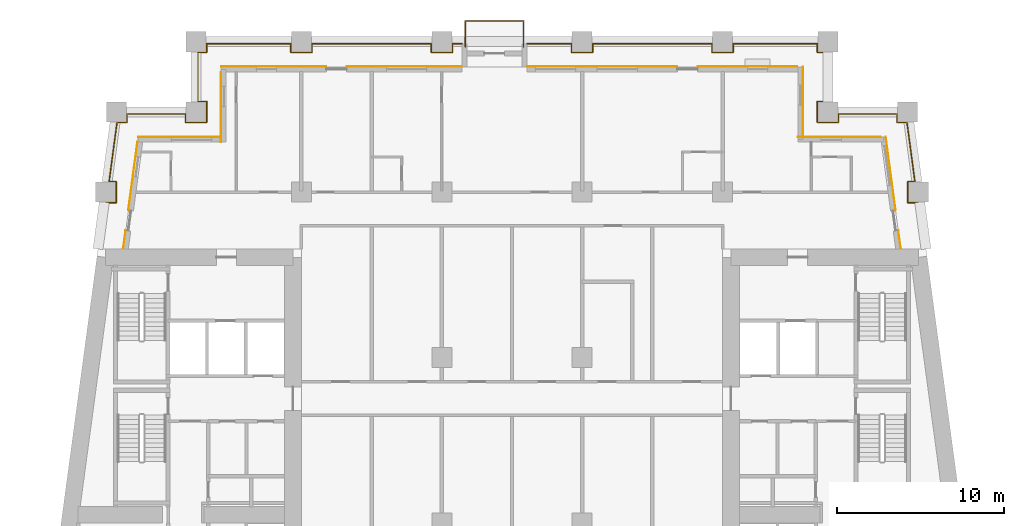
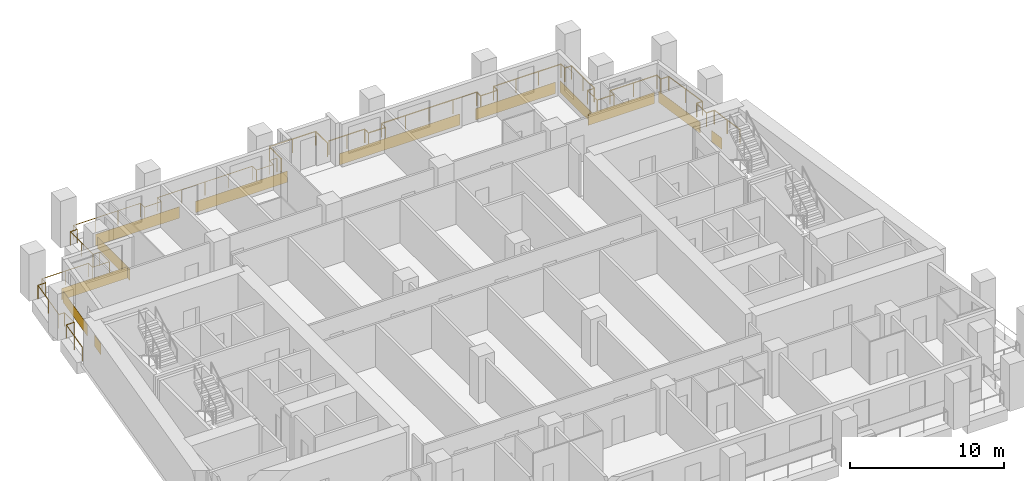
# One storey, part 12 of 13: 12 coverings, 3 railings.
"""IFC4 building model written with IfcOpenShell, lengths in metres."""

from ifc_helpers import new_model, si_unit, direction, frame, origin, origin_2d, place, context, subcontext, project, spatial, rectangle, circle, extrude, material, layer, layer_set, type_object, element, save


model = new_model("IFC4")

# Units and contexts
model_context = context("Model", 3, precision=1e-05, world=origin(), true_north=direction((0.0, 1.0)))
body_context = subcontext(model_context, "Body", "Model", "MODEL_VIEW")
ifc_project = project(units=[si_unit("LENGTHUNIT", "METRE"), si_unit("AREAUNIT", "SQUARE_METRE"), si_unit("VOLUMEUNIT", "CUBIC_METRE"), si_unit("PLANEANGLEUNIT", "RADIAN"), si_unit("MASSUNIT", "GRAM", prefix="KILO")], contexts=[model_context])

# Site, building, storey
site_placement = place(None, origin())
site = spatial("IfcSite", under=ifc_project, at=site_placement, CompositionType="ELEMENT")
building_placement = place(site_placement, origin())
building = spatial("IfcBuilding", under=site, at=building_placement, Name="Candeia Pilgrim Tower and Theatre", CompositionType="ELEMENT")
storey_placement = place(building_placement, frame((0.0, 0.0, 98.39990234375)))
storey = spatial("IfcBuildingStorey", under=building, at=storey_placement, Name="L22", CompositionType="ELEMENT", Elevation=98.39990234375)

# Railings
ifc_material_1 = material(Name="Stainless steel balustrade", Category="steel")
railing_type = type_object("IfcRailingType", Name="G1 loggia guard 1100", PredefinedType="GUARDRAIL", material=ifc_material_1)
railing_1_placement = place(storey_placement, frame((88.758544921875, 132.449951171875, 0.0)))
element("IfcRailing", 1, at=railing_1_placement, inside=storey, type_object=railing_type, Name="Guard L22.2", PredefinedType="GUARDRAIL", context=body_context, shape_type="SweptSolid", body=[
    extrude(circle(Radius=0.02392578125, at=origin_2d()), frame((0.0, 0.0, 1.076171875), z_axis=(0.133433855259, 0.991057720958, 0.0), x_axis=(-0.991057720958, 0.133433855259, 0.0)), (0.0, 0.0, 1.0), 2.74462890625),
    extrude(circle(Radius=0.02392578125, at=origin_2d()), frame((0.3662109375, 2.719970703125, 1.076171875), z_axis=(1.0, 0.0, 0.0), x_axis=(0.0, 1.0, 0.0)), (0.0, 0.0, 1.0), 0.59375),
    extrude(circle(Radius=0.02392578125, at=origin_2d()), frame((0.9599609375, 2.719970703125, 1.076171875), z_axis=(0.0, 1.0, 0.0), x_axis=(-1.0, 0.0, 0.0)), (0.0, 0.0, 1.0), 1.260009765625),
    extrude(circle(Radius=0.02392578125, at=origin_2d()), frame((0.9599609375, 3.97998046875, 1.076171875), z_axis=(-1.0, 0.0, 0.0), x_axis=(0.0, -1.0, 0.0)), (0.0, 0.0, 1.0), 0.424072265625),
    extrude(circle(Radius=0.02392578125, at=origin_2d()), frame((0.535888671875, 3.97998046875, 1.076171875), z_axis=(0.133417176173, 0.991059966451, 0.0), x_axis=(-0.991059966451, 0.133417176173, 0.0)), (0.0, 0.0, 1.0), 3.572021484375),
    extrude(circle(Radius=0.02392578125, at=origin_2d()), frame((1.012451171875, 7.52001953125, 1.076171875), z_axis=(1.0, 0.0, 0.0), x_axis=(0.0, 1.0, 0.0)), (0.0, 0.0, 1.0), 0.593505859375),
    extrude(circle(Radius=0.02392578125, at=origin_2d()), frame((1.60595703125, 7.52001953125, 1.076171875), z_axis=(0.0, 1.0, 0.0), x_axis=(-1.0, 0.0, 0.0)), (0.0, 0.0, 1.0), 0.510009765625),
    extrude(circle(Radius=0.02392578125, at=origin_2d()), frame((1.60595703125, 8.030029296875, 1.076171875), z_axis=(1.0, 0.0, 0.0), x_axis=(0.0, 1.0, 0.0)), (0.0, 0.0, 1.0), 3.505615234375),
    extrude(circle(Radius=0.02392578125, at=origin_2d()), frame((5.111572265625, 8.030029296875, 1.076171875), z_axis=(0.0, -1.0, 0.0), x_axis=(1.0, 0.0, 0.0)), (0.0, 0.0, 1.0), 0.510009765625),
    extrude(circle(Radius=0.02392578125, at=origin_2d()), frame((5.111572265625, 7.52001953125, 1.076171875), z_axis=(1.0, 0.0, 0.0), x_axis=(0.0, 1.0, 0.0)), (0.0, 0.0, 1.0), 1.259765625),
    extrude(circle(Radius=0.02392578125, at=origin_2d()), frame((6.371337890625, 7.52001953125, 1.076171875), z_axis=(0.0, 1.0, 0.0), x_axis=(-1.0, 0.0, 0.0)), (0.0, 0.0, 1.0), 1.260009765625),
    extrude(circle(Radius=0.02392578125, at=origin_2d()), frame((6.371337890625, 8.780029296875, 1.076171875), z_axis=(-1.0, 0.0, 0.0), x_axis=(0.0, -1.0, 0.0)), (0.0, 0.0, 1.0), 0.509765625),
    extrude(circle(Radius=0.02392578125, at=origin_2d()), frame((5.861572265625, 8.780029296875, 1.076171875), z_axis=(0.0, 1.0, 0.0), x_axis=(-1.0, 0.0, 0.0)), (0.0, 0.0, 1.0), 2.93994140625),
    extrude(circle(Radius=0.02392578125, at=origin_2d()), frame((5.861572265625, 11.719970703125, 1.076171875), z_axis=(1.0, 0.0, 0.0), x_axis=(0.0, 1.0, 0.0)), (0.0, 0.0, 1.0), 0.509765625),
    extrude(circle(Radius=0.02392578125, at=origin_2d()), frame((6.371337890625, 11.719970703125, 1.076171875), z_axis=(0.0, 1.0, 0.0), x_axis=(-1.0, 0.0, 0.0)), (0.0, 0.0, 1.0), 0.510009765625),
    extrude(circle(Radius=0.02392578125, at=origin_2d()), frame((6.371337890625, 12.22998046875, 1.076171875), z_axis=(1.0, 0.0, 0.0), x_axis=(0.0, 1.0, 0.0)), (0.0, 0.0, 1.0), 5.0400390625),
    extrude(circle(Radius=0.02392578125, at=origin_2d()), frame((11.411376953125, 12.22998046875, 1.076171875), z_axis=(0.0, -1.0, 0.0), x_axis=(1.0, 0.0, 0.0)), (0.0, 0.0, 1.0), 0.510009765625),
    extrude(circle(Radius=0.02392578125, at=origin_2d()), frame((11.411376953125, 11.719970703125, 1.076171875), z_axis=(1.0, 0.0, 0.0), x_axis=(0.0, 1.0, 0.0)), (0.0, 0.0, 1.0), 1.260009765625),
    extrude(circle(Radius=0.02392578125, at=origin_2d()), frame((12.67138671875, 11.719970703125, 1.076171875), z_axis=(0.0, 1.0, 0.0), x_axis=(-1.0, 0.0, 0.0)), (0.0, 0.0, 1.0), 0.510009765625),
    extrude(circle(Radius=0.02392578125, at=origin_2d()), frame((12.67138671875, 12.22998046875, 1.076171875), z_axis=(1.0, 0.0, 0.0), x_axis=(0.0, 1.0, 0.0)), (0.0, 0.0, 1.0), 7.14013671875),
    extrude(circle(Radius=0.02392578125, at=origin_2d()), frame((19.8115234375, 12.22998046875, 1.076171875), z_axis=(0.0, -1.0, 0.0), x_axis=(1.0, 0.0, 0.0)), (0.0, 0.0, 1.0), 0.510009765625),
    extrude(circle(Radius=0.02392578125, at=origin_2d()), frame((19.8115234375, 11.719970703125, 1.076171875), z_axis=(1.0, 0.0, 0.0), x_axis=(0.0, 1.0, 0.0)), (0.0, 0.0, 1.0), 1.260009765625),
    extrude(circle(Radius=0.02392578125, at=origin_2d()), frame((21.071533203125, 11.719970703125, 1.076171875), z_axis=(0.0, 1.0, 0.0), x_axis=(-1.0, 0.0, 0.0)), (0.0, 0.0, 1.0), 0.510009765625),
    extrude(circle(Radius=0.02392578125, at=origin_2d()), frame((21.071533203125, 12.22998046875, 1.076171875), z_axis=(1.0, 0.0, 0.0), x_axis=(0.0, 1.0, 0.0)), (0.0, 0.0, 1.0), 0.56982421875),
    extrude(circle(Radius=0.02099609375, at=origin_2d()), origin(), (0.0, 0.0, 1.0), 1.052001953125),
    extrude(circle(Radius=0.02099609375, at=origin_2d()), frame((0.18310546875, 1.35986328125, 0.0)), (0.0, 0.0, 1.0), 1.052001953125),
    extrude(circle(Radius=0.02099609375, at=origin_2d()), frame((0.3662109375, 2.719970703125, 0.0)), (0.0, 0.0, 1.0), 1.052001953125),
    extrude(circle(Radius=0.02099609375, at=origin_2d()), frame((0.9599609375, 2.719970703125, 0.0)), (0.0, 0.0, 1.0), 1.052001953125),
    extrude(circle(Radius=0.02099609375, at=origin_2d()), frame((0.9599609375, 3.97998046875, 0.0)), (0.0, 0.0, 1.0), 1.052001953125),
    extrude(circle(Radius=0.02099609375, at=origin_2d()), frame((0.535888671875, 3.97998046875, 0.0)), (0.0, 0.0, 1.0), 1.052001953125),
    extrude(circle(Radius=0.02099609375, at=origin_2d()), frame((0.774169921875, 5.75, 0.0)), (0.0, 0.0, 1.0), 1.052001953125),
    extrude(circle(Radius=0.02099609375, at=origin_2d()), frame((1.012451171875, 7.52001953125, 0.0)), (0.0, 0.0, 1.0), 1.052001953125),
    extrude(circle(Radius=0.02099609375, at=origin_2d()), frame((1.60595703125, 7.52001953125, 0.0)), (0.0, 0.0, 1.0), 1.052001953125),
    extrude(circle(Radius=0.02099609375, at=origin_2d()), frame((1.60595703125, 8.030029296875, 0.0)), (0.0, 0.0, 1.0), 1.052001953125),
    extrude(circle(Radius=0.02099609375, at=origin_2d()), frame((3.35888671875, 8.030029296875, 0.0)), (0.0, 0.0, 1.0), 1.052001953125),
    extrude(circle(Radius=0.02099609375, at=origin_2d()), frame((5.111572265625, 8.030029296875, 0.0)), (0.0, 0.0, 1.0), 1.052001953125),
    extrude(circle(Radius=0.02099609375, at=origin_2d()), frame((5.111572265625, 7.52001953125, 0.0)), (0.0, 0.0, 1.0), 1.052001953125),
    extrude(circle(Radius=0.02099609375, at=origin_2d()), frame((6.371337890625, 7.52001953125, 0.0)), (0.0, 0.0, 1.0), 1.052001953125),
    extrude(circle(Radius=0.02099609375, at=origin_2d()), frame((6.371337890625, 8.780029296875, 0.0)), (0.0, 0.0, 1.0), 1.052001953125),
    extrude(circle(Radius=0.02099609375, at=origin_2d()), frame((5.861572265625, 8.780029296875, 0.0)), (0.0, 0.0, 1.0), 1.052001953125),
    extrude(circle(Radius=0.02099609375, at=origin_2d()), frame((5.861572265625, 10.25, 0.0)), (0.0, 0.0, 1.0), 1.052001953125),
    extrude(circle(Radius=0.02099609375, at=origin_2d()), frame((5.861572265625, 11.719970703125, 0.0)), (0.0, 0.0, 1.0), 1.052001953125),
    extrude(circle(Radius=0.02099609375, at=origin_2d()), frame((6.371337890625, 11.719970703125, 0.0)), (0.0, 0.0, 1.0), 1.052001953125),
    extrude(circle(Radius=0.02099609375, at=origin_2d()), frame((6.371337890625, 12.22998046875, 0.0)), (0.0, 0.0, 1.0), 1.052001953125),
    extrude(circle(Radius=0.02099609375, at=origin_2d()), frame((8.05126953125, 12.22998046875, 0.0)), (0.0, 0.0, 1.0), 1.052001953125),
    extrude(circle(Radius=0.02099609375, at=origin_2d()), frame((9.7314453125, 12.22998046875, 0.0)), (0.0, 0.0, 1.0), 1.052001953125),
    extrude(circle(Radius=0.02099609375, at=origin_2d()), frame((11.411376953125, 12.22998046875, 0.0)), (0.0, 0.0, 1.0), 1.052001953125),
    extrude(circle(Radius=0.02099609375, at=origin_2d()), frame((11.411376953125, 11.719970703125, 0.0)), (0.0, 0.0, 1.0), 1.052001953125),
    extrude(circle(Radius=0.02099609375, at=origin_2d()), frame((12.67138671875, 11.719970703125, 0.0)), (0.0, 0.0, 1.0), 1.052001953125),
    extrude(circle(Radius=0.02099609375, at=origin_2d()), frame((12.67138671875, 12.22998046875, 0.0)), (0.0, 0.0, 1.0), 1.052001953125),
    extrude(circle(Radius=0.02099609375, at=origin_2d()), frame((14.45654296875, 12.22998046875, 0.0)), (0.0, 0.0, 1.0), 1.052001953125),
    extrude(circle(Radius=0.02099609375, at=origin_2d()), frame((16.241455078125, 12.22998046875, 0.0)), (0.0, 0.0, 1.0), 1.052001953125),
    extrude(circle(Radius=0.02099609375, at=origin_2d()), frame((18.0263671875, 12.22998046875, 0.0)), (0.0, 0.0, 1.0), 1.052001953125),
    extrude(circle(Radius=0.02099609375, at=origin_2d()), frame((19.8115234375, 12.22998046875, 0.0)), (0.0, 0.0, 1.0), 1.052001953125),
    extrude(circle(Radius=0.02099609375, at=origin_2d()), frame((19.8115234375, 11.719970703125, 0.0)), (0.0, 0.0, 1.0), 1.052001953125),
    extrude(circle(Radius=0.02099609375, at=origin_2d()), frame((21.071533203125, 11.719970703125, 0.0)), (0.0, 0.0, 1.0), 1.052001953125),
    extrude(circle(Radius=0.02099609375, at=origin_2d()), frame((21.071533203125, 12.22998046875, 0.0)), (0.0, 0.0, 1.0), 1.052001953125),
    extrude(circle(Radius=0.02099609375, at=origin_2d()), frame((21.641357421875, 12.22998046875, 0.0)), (0.0, 0.0, 1.0), 1.052001953125),
])
railing_2_placement = place(storey_placement, frame((114.300048828125, 144.679931640625, 0.0)))
element("IfcRailing", 2, at=railing_2_placement, inside=storey, type_object=railing_type, Name="Guard L22.3", PredefinedType="GUARDRAIL", context=body_context, shape_type="SweptSolid", body=[
    extrude(circle(Radius=0.02392578125, at=origin_2d()), frame((0.0, 0.0, 1.076171875), z_axis=(1.0, 0.0, 0.0), x_axis=(0.0, 1.0, 0.0)), (0.0, 0.0, 1.0), 2.669921875),
    extrude(circle(Radius=0.02392578125, at=origin_2d()), frame((2.669921875, 0.0, 1.076171875), z_axis=(0.0, -1.0, 0.0), x_axis=(1.0, 0.0, 0.0)), (0.0, 0.0, 1.0), 0.510009765625),
    extrude(circle(Radius=0.02392578125, at=origin_2d()), frame((2.669921875, -0.510009765625, 1.076171875), z_axis=(1.0, 0.0, 0.0), x_axis=(0.0, 1.0, 0.0)), (0.0, 0.0, 1.0), 1.260009765625),
    extrude(circle(Radius=0.02392578125, at=origin_2d()), frame((3.929931640625, -0.510009765625, 1.076171875), z_axis=(0.0, 1.0, 0.0), x_axis=(-1.0, 0.0, 0.0)), (0.0, 0.0, 1.0), 0.510009765625),
    extrude(circle(Radius=0.02392578125, at=origin_2d()), frame((3.929931640625, 0.0, 1.076171875), z_axis=(1.0, 0.0, 0.0), x_axis=(0.0, 1.0, 0.0)), (0.0, 0.0, 1.0), 7.14013671875),
    extrude(circle(Radius=0.02392578125, at=origin_2d()), frame((11.070068359375, 0.0, 1.076171875), z_axis=(0.0, -1.0, 0.0), x_axis=(1.0, 0.0, 0.0)), (0.0, 0.0, 1.0), 0.510009765625),
    extrude(circle(Radius=0.02392578125, at=origin_2d()), frame((11.070068359375, -0.510009765625, 1.076171875), z_axis=(1.0, 0.0, 0.0), x_axis=(0.0, 1.0, 0.0)), (0.0, 0.0, 1.0), 1.259765625),
    extrude(circle(Radius=0.02392578125, at=origin_2d()), frame((12.329833984375, -0.510009765625, 1.076171875), z_axis=(0.0, 1.0, 0.0), x_axis=(-1.0, 0.0, 0.0)), (0.0, 0.0, 1.0), 0.510009765625),
    extrude(circle(Radius=0.02392578125, at=origin_2d()), frame((12.329833984375, 0.0, 1.076171875), z_axis=(1.0, 0.0, 0.0), x_axis=(0.0, 1.0, 0.0)), (0.0, 0.0, 1.0), 5.0400390625),
    extrude(circle(Radius=0.02392578125, at=origin_2d()), frame((17.369873046875, 0.0, 1.076171875), z_axis=(0.0, -1.0, 0.0), x_axis=(1.0, 0.0, 0.0)), (0.0, 0.0, 1.0), 0.510009765625),
    extrude(circle(Radius=0.02392578125, at=origin_2d()), frame((17.369873046875, -0.510009765625, 1.076171875), z_axis=(1.0, 0.0, 0.0), x_axis=(0.0, 1.0, 0.0)), (0.0, 0.0, 1.0), 0.510009765625),
    extrude(circle(Radius=0.02392578125, at=origin_2d()), frame((17.8798828125, -0.510009765625, 1.076171875), z_axis=(0.0, -1.0, 0.0), x_axis=(1.0, 0.0, 0.0)), (0.0, 0.0, 1.0), 2.93994140625),
    extrude(circle(Radius=0.02392578125, at=origin_2d()), frame((17.8798828125, -3.449951171875, 1.076171875), z_axis=(-1.0, 0.0, 0.0), x_axis=(0.0, -1.0, 0.0)), (0.0, 0.0, 1.0), 0.510009765625),
    extrude(circle(Radius=0.02392578125, at=origin_2d()), frame((17.369873046875, -3.449951171875, 1.076171875), z_axis=(0.0, -1.0, 0.0), x_axis=(1.0, 0.0, 0.0)), (0.0, 0.0, 1.0), 1.260009765625),
    extrude(circle(Radius=0.02392578125, at=origin_2d()), frame((17.369873046875, -4.7099609375, 1.076171875), z_axis=(1.0, 0.0, 0.0), x_axis=(0.0, 1.0, 0.0)), (0.0, 0.0, 1.0), 1.260009765625),
    extrude(circle(Radius=0.02392578125, at=origin_2d()), frame((18.6298828125, -4.7099609375, 1.076171875), z_axis=(0.0, 1.0, 0.0), x_axis=(-1.0, 0.0, 0.0)), (0.0, 0.0, 1.0), 0.510009765625),
    extrude(circle(Radius=0.02392578125, at=origin_2d()), frame((18.6298828125, -4.199951171875, 1.076171875), z_axis=(1.0, 0.0, 0.0), x_axis=(0.0, 1.0, 0.0)), (0.0, 0.0, 1.0), 3.50537109375),
    extrude(circle(Radius=0.02392578125, at=origin_2d()), frame((22.13525390625, -4.199951171875, 1.076171875), z_axis=(0.0, -1.0, 0.0), x_axis=(1.0, 0.0, 0.0)), (0.0, 0.0, 1.0), 0.510009765625),
    extrude(circle(Radius=0.02392578125, at=origin_2d()), frame((22.13525390625, -4.7099609375, 1.076171875), z_axis=(1.0, 0.0, 0.0), x_axis=(0.0, 1.0, 0.0)), (0.0, 0.0, 1.0), 0.59375),
    extrude(circle(Radius=0.02392578125, at=origin_2d()), frame((22.72900390625, -4.7099609375, 1.076171875), z_axis=(0.133417176173, -0.991059966451, 0.0), x_axis=(0.991059966451, 0.133417176173, 0.0)), (0.0, 0.0, 1.0), 3.572021484375),
    extrude(circle(Radius=0.02392578125, at=origin_2d()), frame((23.20556640625, -8.25, 1.076171875), z_axis=(-1.0, 0.0, 0.0), x_axis=(0.0, -1.0, 0.0)), (0.0, 0.0, 1.0), 0.424072265625),
    extrude(circle(Radius=0.02392578125, at=origin_2d()), frame((22.781494140625, -8.25, 1.076171875), z_axis=(0.0, -1.0, 0.0), x_axis=(1.0, 0.0, 0.0)), (0.0, 0.0, 1.0), 1.260009765625),
    extrude(circle(Radius=0.02392578125, at=origin_2d()), frame((22.781494140625, -9.510009765625, 1.076171875), z_axis=(1.0, 0.0, 0.0), x_axis=(0.0, 1.0, 0.0)), (0.0, 0.0, 1.0), 0.59375),
    extrude(circle(Radius=0.02392578125, at=origin_2d()), frame((23.375244140625, -9.510009765625, 1.076171875), z_axis=(0.133433855259, -0.991057720958, 0.0), x_axis=(0.991057720958, 0.133433855259, 0.0)), (0.0, 0.0, 1.0), 2.74462890625),
    extrude(circle(Radius=0.02099609375, at=origin_2d()), origin(), (0.0, 0.0, 1.0), 1.052001953125),
    extrude(circle(Radius=0.02099609375, at=origin_2d()), frame((1.3349609375, 0.0, 0.0)), (0.0, 0.0, 1.0), 1.052001953125),
    extrude(circle(Radius=0.02099609375, at=origin_2d()), frame((2.669921875, 0.0, 0.0)), (0.0, 0.0, 1.0), 1.052001953125),
    extrude(circle(Radius=0.02099609375, at=origin_2d()), frame((2.669921875, -0.510009765625, 0.0)), (0.0, 0.0, 1.0), 1.052001953125),
    extrude(circle(Radius=0.02099609375, at=origin_2d()), frame((3.929931640625, -0.510009765625, 0.0)), (0.0, 0.0, 1.0), 1.052001953125),
    extrude(circle(Radius=0.02099609375, at=origin_2d()), frame((3.929931640625, 0.0, 0.0)), (0.0, 0.0, 1.0), 1.052001953125),
    extrude(circle(Radius=0.02099609375, at=origin_2d()), frame((5.71484375, 0.0, 0.0)), (0.0, 0.0, 1.0), 1.052001953125),
    extrude(circle(Radius=0.02099609375, at=origin_2d()), frame((7.5, 0.0, 0.0)), (0.0, 0.0, 1.0), 1.052001953125),
    extrude(circle(Radius=0.02099609375, at=origin_2d()), frame((9.28515625, 0.0, 0.0)), (0.0, 0.0, 1.0), 1.052001953125),
    extrude(circle(Radius=0.02099609375, at=origin_2d()), frame((11.070068359375, 0.0, 0.0)), (0.0, 0.0, 1.0), 1.052001953125),
    extrude(circle(Radius=0.02099609375, at=origin_2d()), frame((11.070068359375, -0.510009765625, 0.0)), (0.0, 0.0, 1.0), 1.052001953125),
    extrude(circle(Radius=0.02099609375, at=origin_2d()), frame((12.329833984375, -0.510009765625, 0.0)), (0.0, 0.0, 1.0), 1.052001953125),
    extrude(circle(Radius=0.02099609375, at=origin_2d()), frame((12.329833984375, 0.0, 0.0)), (0.0, 0.0, 1.0), 1.052001953125),
    extrude(circle(Radius=0.02099609375, at=origin_2d()), frame((14.009765625, 0.0, 0.0)), (0.0, 0.0, 1.0), 1.052001953125),
    extrude(circle(Radius=0.02099609375, at=origin_2d()), frame((15.68994140625, 0.0, 0.0)), (0.0, 0.0, 1.0), 1.052001953125),
    extrude(circle(Radius=0.02099609375, at=origin_2d()), frame((17.369873046875, 0.0, 0.0)), (0.0, 0.0, 1.0), 1.052001953125),
    extrude(circle(Radius=0.02099609375, at=origin_2d()), frame((17.369873046875, -0.510009765625, 0.0)), (0.0, 0.0, 1.0), 1.052001953125),
    extrude(circle(Radius=0.02099609375, at=origin_2d()), frame((17.8798828125, -0.510009765625, 0.0)), (0.0, 0.0, 1.0), 1.052001953125),
    extrude(circle(Radius=0.02099609375, at=origin_2d()), frame((17.8798828125, -1.97998046875, 0.0)), (0.0, 0.0, 1.0), 1.052001953125),
    extrude(circle(Radius=0.02099609375, at=origin_2d()), frame((17.8798828125, -3.449951171875, 0.0)), (0.0, 0.0, 1.0), 1.052001953125),
    extrude(circle(Radius=0.02099609375, at=origin_2d()), frame((17.369873046875, -3.449951171875, 0.0)), (0.0, 0.0, 1.0), 1.052001953125),
    extrude(circle(Radius=0.02099609375, at=origin_2d()), frame((17.369873046875, -4.7099609375, 0.0)), (0.0, 0.0, 1.0), 1.052001953125),
    extrude(circle(Radius=0.02099609375, at=origin_2d()), frame((18.6298828125, -4.7099609375, 0.0)), (0.0, 0.0, 1.0), 1.052001953125),
    extrude(circle(Radius=0.02099609375, at=origin_2d()), frame((18.6298828125, -4.199951171875, 0.0)), (0.0, 0.0, 1.0), 1.052001953125),
    extrude(circle(Radius=0.02099609375, at=origin_2d()), frame((20.382568359375, -4.199951171875, 0.0)), (0.0, 0.0, 1.0), 1.052001953125),
    extrude(circle(Radius=0.02099609375, at=origin_2d()), frame((22.13525390625, -4.199951171875, 0.0)), (0.0, 0.0, 1.0), 1.052001953125),
    extrude(circle(Radius=0.02099609375, at=origin_2d()), frame((22.13525390625, -4.7099609375, 0.0)), (0.0, 0.0, 1.0), 1.052001953125),
    extrude(circle(Radius=0.02099609375, at=origin_2d()), frame((22.72900390625, -4.7099609375, 0.0)), (0.0, 0.0, 1.0), 1.052001953125),
    extrude(circle(Radius=0.02099609375, at=origin_2d()), frame((22.96728515625, -6.47998046875, 0.0)), (0.0, 0.0, 1.0), 1.052001953125),
    extrude(circle(Radius=0.02099609375, at=origin_2d()), frame((23.20556640625, -8.25, 0.0)), (0.0, 0.0, 1.0), 1.052001953125),
    extrude(circle(Radius=0.02099609375, at=origin_2d()), frame((22.781494140625, -8.25, 0.0)), (0.0, 0.0, 1.0), 1.052001953125),
    extrude(circle(Radius=0.02099609375, at=origin_2d()), frame((22.781494140625, -9.510009765625, 0.0)), (0.0, 0.0, 1.0), 1.052001953125),
    extrude(circle(Radius=0.02099609375, at=origin_2d()), frame((23.375244140625, -9.510009765625, 0.0)), (0.0, 0.0, 1.0), 1.052001953125),
    extrude(circle(Radius=0.02099609375, at=origin_2d()), frame((23.558349609375, -10.8701171875, 0.0)), (0.0, 0.0, 1.0), 1.052001953125),
    extrude(circle(Radius=0.02099609375, at=origin_2d()), frame((23.741455078125, -12.22998046875, 0.0)), (0.0, 0.0, 1.0), 1.052001953125),
])
railing_3_placement = place(storey_placement, frame((110.610107421875, 144.5, 0.0)))
element("IfcRailing", 3, at=railing_3_placement, inside=storey, type_object=railing_type, Name="Balcony guard L22", PredefinedType="GUARDRAIL", context=body_context, shape_type="SweptSolid", body=[
    extrude(circle(Radius=0.02392578125, at=origin_2d()), frame((0.0, 0.0, 1.076171875), z_axis=(0.0, 1.0, 0.0), x_axis=(-1.0, 0.0, 0.0)), (0.0, 0.0, 1.0), 1.5400390625),
    extrude(circle(Radius=0.02392578125, at=origin_2d()), frame((0.0, 1.5400390625, 1.076171875), z_axis=(1.0, 0.0, 0.0), x_axis=(0.0, 1.0, 0.0)), (0.0, 0.0, 1.0), 3.47998046875),
    extrude(circle(Radius=0.02392578125, at=origin_2d()), frame((3.47998046875, 1.5400390625, 1.076171875), z_axis=(0.0, -1.0, 0.0), x_axis=(1.0, 0.0, 0.0)), (0.0, 0.0, 1.0), 1.5400390625),
    extrude(circle(Radius=0.02099609375, at=origin_2d()), origin(), (0.0, 0.0, 1.0), 1.052001953125),
    extrude(circle(Radius=0.02099609375, at=origin_2d()), frame((0.0, 1.5400390625, 0.0)), (0.0, 0.0, 1.0), 1.052001953125),
    extrude(circle(Radius=0.02099609375, at=origin_2d()), frame((1.739990234375, 1.5400390625, 0.0)), (0.0, 0.0, 1.0), 1.052001953125),
    extrude(circle(Radius=0.02099609375, at=origin_2d()), frame((3.47998046875, 1.5400390625, 0.0)), (0.0, 0.0, 1.0), 1.052001953125),
    extrude(circle(Radius=0.02099609375, at=origin_2d()), frame((3.47998046875, 0.0, 0.0)), (0.0, 0.0, 1.0), 1.052001953125),
])

# Coverings
ifc_material_2 = material(Name="Glazed ceramic tile red")
ifc_layer = layer(ifc_material_2, 0.02001953125)
ifc_layer_set = layer_set([ifc_layer], Name="Glazed ceramic tile red")
covering_type = type_object("IfcCoveringType", Name="Glazed ceramic tile red", PredefinedType="CLADDING", material=ifc_layer_set)
covering_1_placement = place(storey_placement, frame((136.588623046875, 132.97412109375, 0.000244140625), z_axis=(0.0, 0.0, 1.0), x_axis=(-0.133412012145, 0.991060661622, 0.0)))
element("IfcCovering", 4, at=covering_1_placement, inside=storey, type_object=covering_type, Name="Tile cladding red L22", PredefinedType="CLADDING", context=body_context, shape_type="SweptSolid", body=[
    extrude(rectangle(XDim=1.115234375, YDim=0.02001953125, at=origin_2d()), origin(), (0.0, 0.0, 1.0), 0.89990234375),
])
covering_2_placement = place(storey_placement, frame((136.058837890625, 136.90869140625, 0.000244140625), z_axis=(0.0, 0.0, 1.0), x_axis=(-0.133412012145, 0.991060661622, 0.0)))
element("IfcCovering", 5, at=covering_2_placement, inside=storey, type_object=covering_type, Name="Tile cladding red L22", PredefinedType="CLADDING", context=body_context, shape_type="SweptSolid", body=[
    extrude(rectangle(XDim=4.4248046875, YDim=0.02001953125, at=origin_2d()), origin(), (0.0, 0.0, 1.0), 0.89990234375),
])
covering_3_placement = place(storey_placement, frame((132.976318359375, 139.110107421875, 0.000244140625), z_axis=(0.0, 0.0, 1.0), x_axis=(-1.0, 0.0, 0.0)))
element("IfcCovering", 6, at=covering_3_placement, inside=storey, type_object=covering_type, Name="Tile cladding red L22", PredefinedType="CLADDING", context=body_context, shape_type="SweptSolid", body=[
    extrude(rectangle(XDim=4.95263671875, YDim=0.02001953125, at=origin_2d()), origin(), (0.0, 0.0, 1.0), 0.89990234375),
])
covering_4_placement = place(storey_placement, frame((130.81005859375, 141.2099609375, 0.000244140625), z_axis=(0.0, 0.0, 1.0), x_axis=(0.0, 1.0, 0.0)))
element("IfcCovering", 7, at=covering_4_placement, inside=storey, type_object=covering_type, Name="Tile cladding red L22", PredefinedType="CLADDING", context=body_context, shape_type="SweptSolid", body=[
    extrude(rectangle(XDim=4.179931640625, YDim=0.02001953125, at=origin_2d()), origin(), (0.0, 0.0, 1.0), 0.89990234375),
])
covering_5_placement = place(storey_placement, frame((127.489990234375, 143.31005859375, 0.000244140625), z_axis=(0.0, 0.0, 1.0), x_axis=(-1.0, 0.0, 0.0)))
element("IfcCovering", 8, at=covering_5_placement, inside=storey, type_object=covering_type, Name="Tile cladding red L22", PredefinedType="CLADDING", context=body_context, shape_type="SweptSolid", body=[
    extrude(rectangle(XDim=5.97998046875, YDim=0.02001953125, at=origin_2d()), origin(), (0.0, 0.0, 1.0), 0.89990234375),
])
covering_6_placement = place(storey_placement, frame((118.800048828125, 143.31005859375, 0.000244140625), z_axis=(0.0, 0.0, 1.0), x_axis=(-1.0, 0.0, 0.0)))
element("IfcCovering", 9, at=covering_6_placement, inside=storey, type_object=covering_type, Name="Tile cladding red L22", PredefinedType="CLADDING", context=body_context, shape_type="SweptSolid", body=[
    extrude(rectangle(XDim=9.0, YDim=0.02001953125, at=origin_2d()), origin(), (0.0, 0.0, 1.0), 0.89990234375),
])
covering_7_placement = place(storey_placement, frame((106.949951171875, 143.31005859375, 0.000244140625), z_axis=(0.0, 0.0, 1.0), x_axis=(-1.0, 0.0, 0.0)))
element("IfcCovering", 10, at=covering_7_placement, inside=storey, type_object=covering_type, Name="Tile cladding red L22", PredefinedType="CLADDING", context=body_context, shape_type="SweptSolid", body=[
    extrude(rectangle(XDim=6.89990234375, YDim=0.02001953125, at=origin_2d()), origin(), (0.0, 0.0, 1.0), 0.89990234375),
])
covering_8_placement = place(storey_placement, frame((99.14990234375, 143.31005859375, 0.000244140625), z_axis=(0.0, 0.0, 1.0), x_axis=(-1.0, 0.0, 0.0)))
element("IfcCovering", 11, at=covering_8_placement, inside=storey, type_object=covering_type, Name="Tile cladding red L22", PredefinedType="CLADDING", context=body_context, shape_type="SweptSolid", body=[
    extrude(rectangle(XDim=6.300048828125, YDim=0.02001953125, at=origin_2d()), origin(), (0.0, 0.0, 1.0), 0.89990234375),
])
covering_9_placement = place(storey_placement, frame((95.989990234375, 140.889892578125, 0.000244140625), z_axis=(0.0, 0.0, 1.0), x_axis=(0.0, -1.0, 0.0)))
element("IfcCovering", 12, at=covering_9_placement, inside=storey, type_object=covering_type, Name="Tile cladding red L22", PredefinedType="CLADDING", context=body_context, shape_type="SweptSolid", body=[
    extrude(rectangle(XDim=4.179931640625, YDim=0.02001953125, at=origin_2d()), origin(), (0.0, 0.0, 1.0), 0.89990234375),
])
covering_10_placement = place(storey_placement, frame((93.51318359375, 139.110107421875, 0.000244140625), z_axis=(0.0, 0.0, 1.0), x_axis=(-1.0, 0.0, 0.0)))
element("IfcCovering", 13, at=covering_10_placement, inside=storey, type_object=covering_type, Name="Tile cladding red L22", PredefinedType="CLADDING", context=body_context, shape_type="SweptSolid", body=[
    extrude(rectangle(XDim=4.933837890625, YDim=0.02001953125, at=origin_2d()), origin(), (0.0, 0.0, 1.0), 0.89990234375),
])
covering_11_placement = place(storey_placement, frame((90.720947265625, 136.759521484375, 0.000244140625), z_axis=(0.0, 0.0, 1.0), x_axis=(-0.133412012145, -0.991060661622, 0.0)))
element("IfcCovering", 14, at=covering_11_placement, inside=storey, type_object=covering_type, Name="Tile cladding red L22", PredefinedType="CLADDING", context=body_context, shape_type="SweptSolid", body=[
    extrude(rectangle(XDim=4.123779296875, YDim=0.02001953125, at=origin_2d()), origin(), (0.0, 0.0, 1.0), 0.89990234375),
])
covering_12_placement = place(storey_placement, frame((90.21142578125, 132.97412109375, 0.000244140625), z_axis=(0.0, 0.0, 1.0), x_axis=(-0.133412012145, -0.991060661622, 0.0)))
element("IfcCovering", 15, at=covering_12_placement, inside=storey, type_object=covering_type, Name="Tile cladding red L22", PredefinedType="CLADDING", context=body_context, shape_type="SweptSolid", body=[
    extrude(rectangle(XDim=1.115234375, YDim=0.02001953125, at=origin_2d()), origin(), (0.0, 0.0, 1.0), 0.89990234375),
])

save(model, "model.ifc")
